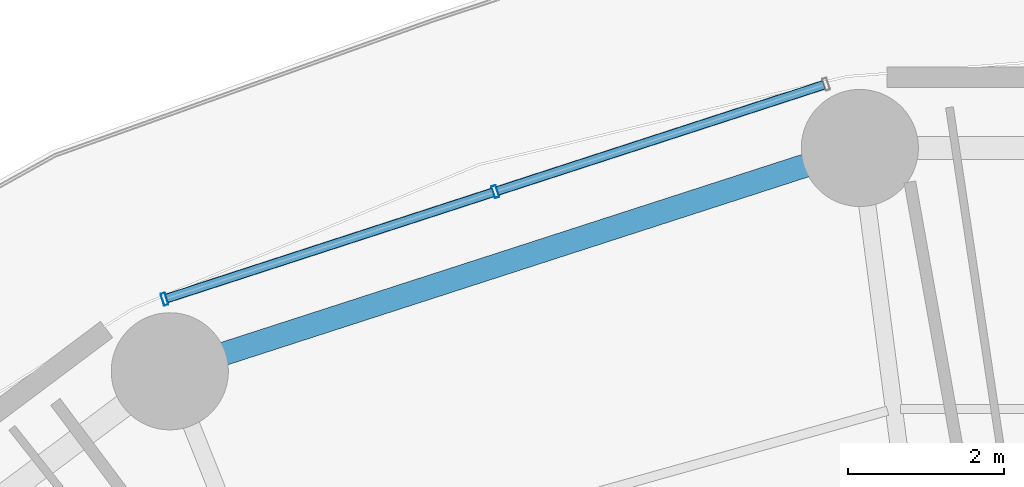
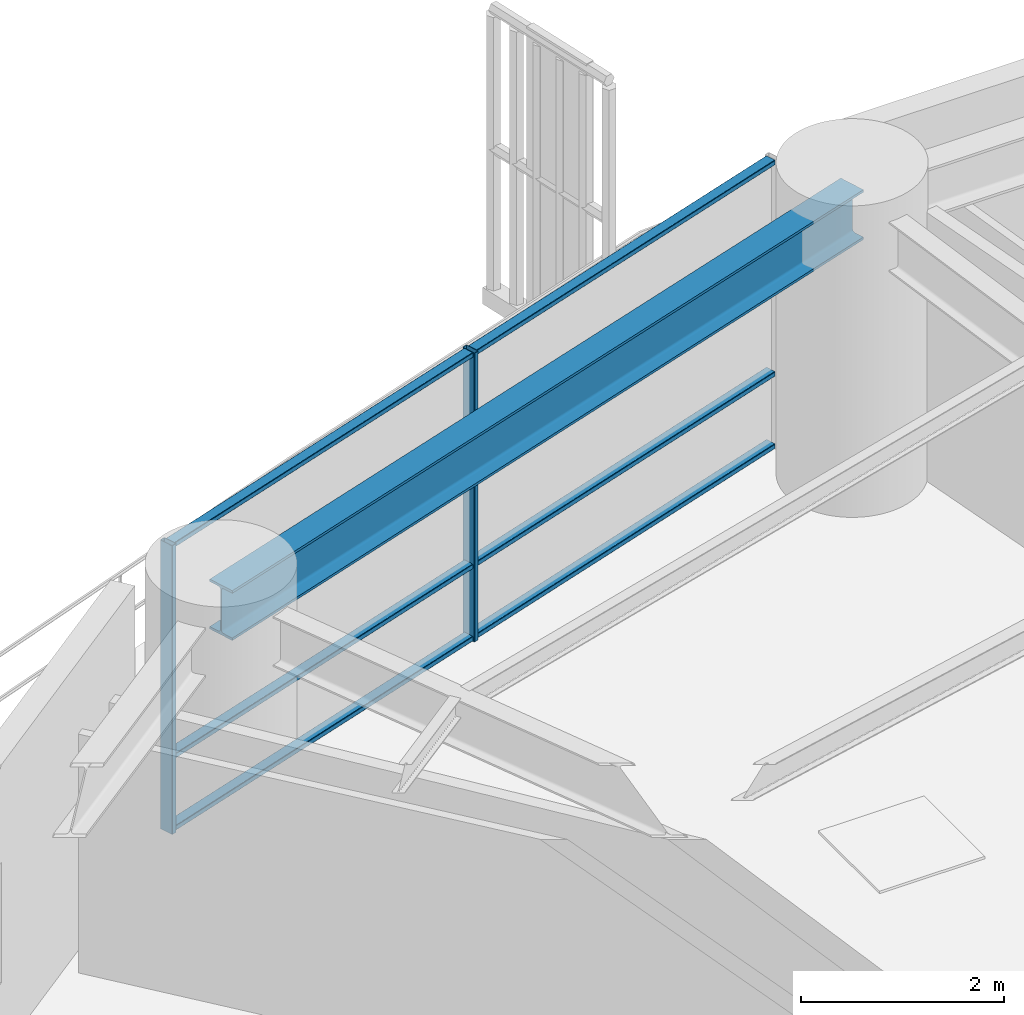
# One storey, part 17 of 32: 8 members, 1 beam, 1 element without a shape of its own.
"""IFC4 building model written with IfcOpenShell, lengths in metres."""

from ifc_helpers import new_model, si_unit, direction, frame, origin, origin_2d, place, context, subcontext, project, spatial, hollow_rectangle, i_section, extrude, material, layer, layer_set, material_profile, profile_set, type_object, element, aggregate, save


model = new_model("IFC4")

# Units and contexts
model_context = context("Model", 3, precision=1e-05, world=origin(), true_north=direction((0.0, 1.0)))
body_context = subcontext(model_context, "Body", "Model", "MODEL_VIEW")
ifc_project = project(units=[si_unit("LENGTHUNIT", "METRE"), si_unit("AREAUNIT", "SQUARE_METRE"), si_unit("VOLUMEUNIT", "CUBIC_METRE"), si_unit("PLANEANGLEUNIT", "RADIAN"), si_unit("MASSUNIT", "GRAM", prefix="KILO")], contexts=[model_context])

# Site, building, storey
site_placement = place(None, origin())
site = spatial("IfcSite", under=ifc_project, at=site_placement, CompositionType="ELEMENT")
building_placement = place(site_placement, origin())
building = spatial("IfcBuilding", under=site, at=building_placement, Name="Kelanora Arch Commons", CompositionType="ELEMENT")
storey_placement = place(building_placement, frame((0.0, 0.0, 56.25)))
storey = spatial("IfcBuildingStorey", under=building, at=storey_placement, Name="L14", CompositionType="ELEMENT", Elevation=56.25)

# Beam
ifc_material_1 = material(Name="Steel S355", Category="steel")
ifc_material_profile_1 = material_profile(ifc_material_1, i_section(OverallWidth=0.300048828125, OverallDepth=0.60009765625, WebThickness=0.015380859375, FlangeThickness=0.030029296875, FilletRadius=0.027099609375, at=origin_2d()), Name="HEB600")
ifc_profile_set_1 = profile_set([ifc_material_profile_1], Name="Steel S355")
beam_type = type_object("IfcBeamType", Name="BM-SPN-Z1", PredefinedType="SPANDREL", material=ifc_profile_set_1)
beam_placement = place(storey_placement, frame((69.297607421875, 81.714111328125, 3.18994140625), z_axis=(-0.951417120402, -0.307904957748, 0.0), x_axis=(0.307904957748, -0.951417120402, 0.0)))
element("IfcBeam", 1, at=beam_placement, inside=storey, type_object=beam_type, Name="Perimeter Spandrel Beam BS-10 L14", PredefinedType="SPANDREL", context=body_context, shape_type="SweptSolid", body=[
    extrude(i_section(OverallWidth=0.300048828125, OverallDepth=0.60009765625, WebThickness=0.015380859375, FlangeThickness=0.030029296875, FilletRadius=0.027099609375, at=origin_2d()), origin(), (0.0, 0.0, 1.0), 9.288818359375),
])

# Curtain wall, members
ifc_material_2 = material(Name="Terracotta ceramic-fritted low-E glass and aluminium", Category="masonry")
ifc_layer = layer(ifc_material_2, 0.159912109375)
ifc_layer_set = layer_set([ifc_layer], Name="Terracotta ceramic-fritted low-E glass and aluminium")
curtain_wall_type = type_object("IfcCurtainWallType", Name="CW-SYS-01", PredefinedType="NOTDEFINED", material=ifc_layer_set)
curtain_wall_placement = place(storey_placement, origin())
curtain_wall = element("IfcCurtainWall", 2, at=curtain_wall_placement, inside=storey, type_object=curtain_wall_type, Name="Unitised Curtain Wall L14-B05", PredefinedType="NOTDEFINED")
ifc_material_3 = material(Name="Powder-coated aluminium terracotta", Category="masonry")
ifc_material_profile_2 = material_profile(ifc_material_3, hollow_rectangle(XDim=0.159912109375, YDim=0.06005859375, WallThickness=0.0048828125, InnerFilletRadius=0.0048828125, OuterFilletRadius=0.010009765625, at=origin_2d()), Name="CWM160x60")
ifc_profile_set_2 = profile_set([ifc_material_profile_2], Name="Powder-coated aluminium terracotta")
member_type_1 = type_object("IfcMemberType", Name="CWM-STD", PredefinedType="MULLION", material=ifc_profile_set_2)
member_1_placement = place(storey_placement, frame((64.62890625, 81.15478515625, 0.0), z_axis=(0.0, 0.0, 1.0), x_axis=(0.30905758454, -0.951043326793, 0.0)))
member_1 = element("IfcMember", 3, at=member_1_placement, type_object=member_type_1, Name="CW-01 mullion 2", PredefinedType="MULLION", context=body_context, shape_type="SweptSolid", body=[
    extrude(hollow_rectangle(XDim=0.159912109375, YDim=0.06005859375, WallThickness=0.0048828125, InnerFilletRadius=0.0048828125, OuterFilletRadius=0.010009765625, at=origin_2d()), origin(), (0.0, 0.0, 1.0), 3.47509765625),
])
member_2_placement = place(storey_placement, frame((60.392333984375, 79.778076171875, 0.0), z_axis=(0.0, 0.0, 1.0), x_axis=(0.30905758454, -0.951043326793, 0.0)))
member_2 = element("IfcMember", 4, at=member_2_placement, type_object=member_type_1, Name="CW-01 mullion 3", PredefinedType="MULLION", context=body_context, shape_type="SweptSolid", body=[
    extrude(hollow_rectangle(XDim=0.159912109375, YDim=0.06005859375, WallThickness=0.0048828125, InnerFilletRadius=0.0048828125, OuterFilletRadius=0.010009765625, at=origin_2d()), origin(), (0.0, 0.0, 1.0), 3.47509765625),
])
ifc_material_profile_3 = material_profile(ifc_material_3, hollow_rectangle(XDim=0.1201171875, YDim=0.06005859375, WallThickness=0.0048828125, InnerFilletRadius=0.0048828125, OuterFilletRadius=0.010009765625, at=origin_2d()), Name="CWT120x60")
ifc_profile_set_3 = profile_set([ifc_material_profile_3], Name="Powder-coated aluminium terracotta")
member_type_2 = type_object("IfcMemberType", Name="CWT-STD", PredefinedType="USERDEFINED", material=ifc_profile_set_3)
member_3_placement = place(storey_placement, frame((68.8369140625, 82.5224609375, 0.030029296875), z_axis=(-0.951028761285, -0.309102402464, 0.0), x_axis=(0.309102402464, -0.951028761285, 0.0)))
member_3 = element("IfcMember", 5, at=member_3_placement, type_object=member_type_2, Name="CW-01 transom 1.1", ObjectType="TRANSOM", PredefinedType="USERDEFINED", context=body_context, shape_type="SweptSolid", body=[
    extrude(hollow_rectangle(XDim=0.1201171875, YDim=0.06005859375, WallThickness=0.0048828125, InnerFilletRadius=0.0048828125, OuterFilletRadius=0.010009765625, at=origin_2d()), origin(), (0.0, 0.0, 1.0), 4.394775390625),
])
member_4_placement = place(storey_placement, frame((68.8369140625, 82.5224609375, 0.89990234375), z_axis=(-0.951028761285, -0.309102402464, 0.0), x_axis=(0.309102402464, -0.951028761285, 0.0)))
member_4 = element("IfcMember", 6, at=member_4_placement, type_object=member_type_2, Name="CW-01 transom 1.2", ObjectType="TRANSOM", PredefinedType="USERDEFINED", context=body_context, shape_type="SweptSolid", body=[
    extrude(hollow_rectangle(XDim=0.1201171875, YDim=0.06005859375, WallThickness=0.0048828125, InnerFilletRadius=0.0048828125, OuterFilletRadius=0.010009765625, at=origin_2d()), origin(), (0.0, 0.0, 1.0), 4.394775390625),
])
member_5_placement = place(storey_placement, frame((68.8369140625, 82.5224609375, 3.445068359375), z_axis=(-0.951028761285, -0.309102402464, 0.0), x_axis=(0.309102402464, -0.951028761285, 0.0)))
member_5 = element("IfcMember", 7, at=member_5_placement, type_object=member_type_2, Name="CW-01 transom 1.3", ObjectType="TRANSOM", PredefinedType="USERDEFINED", context=body_context, shape_type="SweptSolid", body=[
    extrude(hollow_rectangle(XDim=0.1201171875, YDim=0.06005859375, WallThickness=0.0048828125, InnerFilletRadius=0.0048828125, OuterFilletRadius=0.010009765625, at=origin_2d()), origin(), (0.0, 0.0, 1.0), 4.394775390625),
])
member_6_placement = place(storey_placement, frame((64.600341796875, 81.1455078125, 0.030029296875), z_axis=(-0.951045091182, -0.309052155047, 0.0), x_axis=(0.309052155047, -0.951045091182, 0.0)))
member_6 = element("IfcMember", 8, at=member_6_placement, type_object=member_type_2, Name="CW-01 transom 2.1", ObjectType="TRANSOM", PredefinedType="USERDEFINED", context=body_context, shape_type="SweptSolid", body=[
    extrude(hollow_rectangle(XDim=0.1201171875, YDim=0.06005859375, WallThickness=0.0048828125, InnerFilletRadius=0.0048828125, OuterFilletRadius=0.010009765625, at=origin_2d()), origin(), (0.0, 0.0, 1.0), 4.39453125),
])
member_7_placement = place(storey_placement, frame((64.600341796875, 81.1455078125, 0.89990234375), z_axis=(-0.951045091182, -0.309052155047, 0.0), x_axis=(0.309052155047, -0.951045091182, 0.0)))
member_7 = element("IfcMember", 9, at=member_7_placement, type_object=member_type_2, Name="CW-01 transom 2.2", ObjectType="TRANSOM", PredefinedType="USERDEFINED", context=body_context, shape_type="SweptSolid", body=[
    extrude(hollow_rectangle(XDim=0.1201171875, YDim=0.06005859375, WallThickness=0.0048828125, InnerFilletRadius=0.0048828125, OuterFilletRadius=0.010009765625, at=origin_2d()), origin(), (0.0, 0.0, 1.0), 4.39453125),
])
member_8_placement = place(storey_placement, frame((64.600341796875, 81.1455078125, 3.445068359375), z_axis=(-0.951045091182, -0.309052155047, 0.0), x_axis=(0.309052155047, -0.951045091182, 0.0)))
member_8 = element("IfcMember", 10, at=member_8_placement, type_object=member_type_2, Name="CW-01 transom 2.3", ObjectType="TRANSOM", PredefinedType="USERDEFINED", context=body_context, shape_type="SweptSolid", body=[
    extrude(hollow_rectangle(XDim=0.1201171875, YDim=0.06005859375, WallThickness=0.0048828125, InnerFilletRadius=0.0048828125, OuterFilletRadius=0.010009765625, at=origin_2d()), origin(), (0.0, 0.0, 1.0), 4.39453125),
])
aggregate(curtain_wall, [member_1, member_2, member_3, member_4, member_5, member_6, member_7, member_8])

save(model, "model.ifc")
